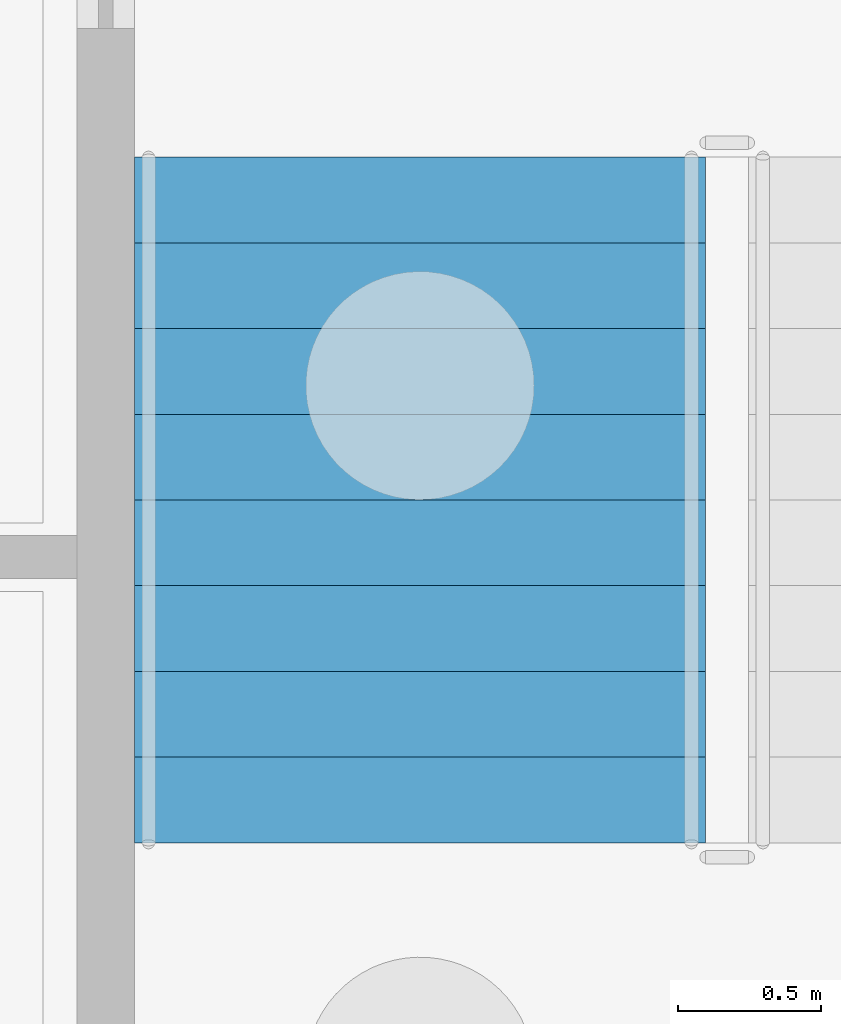
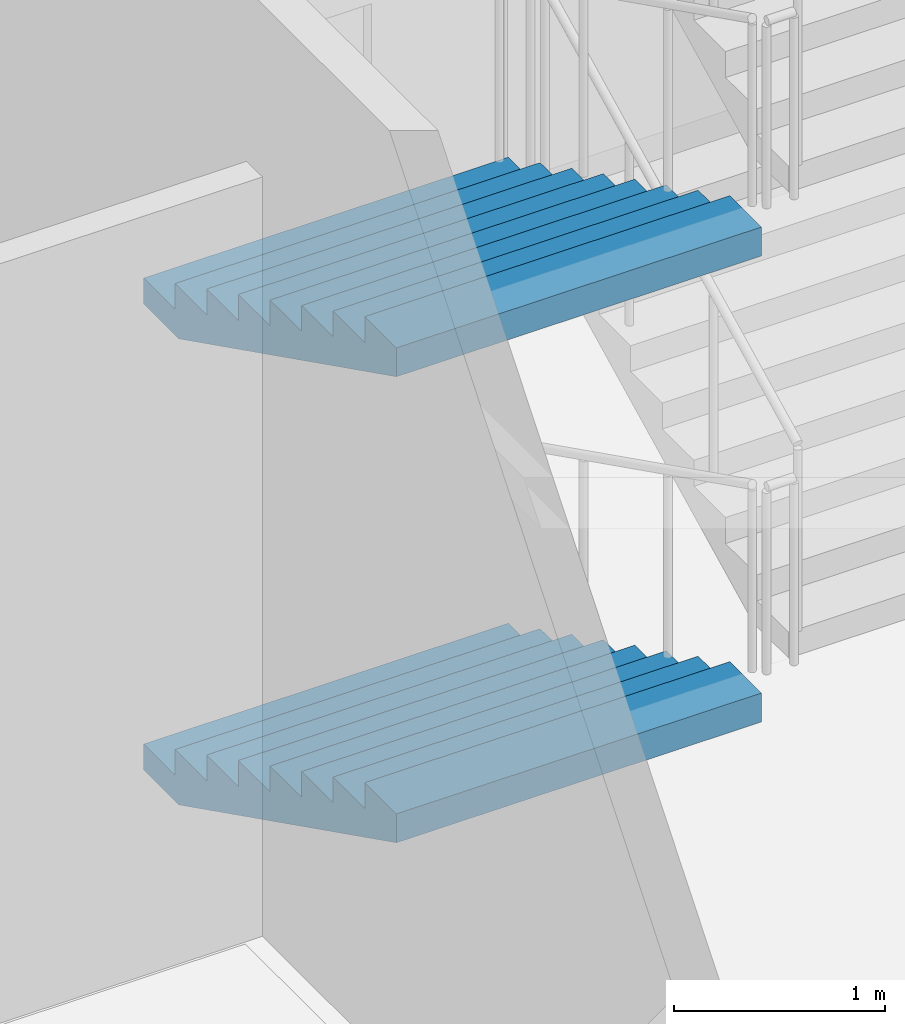
# One storey, part 88 of 129: 2 stair flights, 1 element without a shape of its own.
"""IFC4 building model written with IfcOpenShell, lengths in metres."""

import ifcopenshell
import ifcopenshell.guid

model = None  # the IFC model being written
_history = None  # IfcOwnerHistory: only IFC2X3 demands one
_inside = {}  # id of a spatial element -> (the spatial element, [elements in it])
_under = {}  # id of a project, library or spatial element -> (it, [spatial elements below it])
_declared = {}  # id of a project -> (the project, [libraries it declares])
_typed = {}  # id of a type object -> (the type object, [elements of that type])
_made_of = {}  # id of a material, layer set ... -> (it, [elements and type objects made of it])


def new_model(schema):
    """Start an empty IFC model of exactly this schema.

    Asked for "IFC4X3", IfcOpenShell would pick the latest addendum, in which some entities
    have other attributes; the version numbers below select the first issue.
    IFC2X3 requires an IfcOwnerHistory on every rooted entity: one is made here for all.
    """
    global model, _history
    if schema == "IFC4X3":
        model = ifcopenshell.file(schema_version=(4, 3, 0, 0))
    else:
        model = ifcopenshell.file(schema=schema)
    _inside.clear()
    _under.clear()
    _declared.clear()
    _typed.clear()
    _made_of.clear()
    _history = None
    if model.schema == "IFC2X3":
        org = make("IfcOrganization", Name="unknown")
        user = make(
            "IfcPersonAndOrganization",
            ThePerson=make("IfcPerson", FamilyName="unknown"),
            TheOrganization=org,
        )
        app = make(
            "IfcApplication",
            ApplicationDeveloper=org,
            Version="unknown",
            ApplicationFullName="unknown",
            ApplicationIdentifier="unknown",
        )
        _history = make(
            "IfcOwnerHistory",
            OwningUser=user,
            OwningApplication=app,
            ChangeAction="ADDED",
            CreationDate=0,
        )
    return model


def make(cls, **values):
    """One entity of the class cls with the attributes given. An attribute that is None is left unset."""
    return model.create_entity(
        cls, **{name: value for name, value in values.items() if value is not None}
    )


def rooted(cls, **values):
    """An entity with a GlobalId (a new one), such as an element, a storey or a relation."""
    return make(cls, GlobalId=ifcopenshell.guid.new(), OwnerHistory=_history, **values)


def si_unit(unit_type, name, prefix=None):
    """IfcSIUnit, for example si_unit("LENGTHUNIT", "METRE", prefix="MILLI")."""
    return make("IfcSIUnit", UnitType=unit_type, Prefix=prefix, Name=name)


def assignment(units):
    """IfcUnitAssignment: the units of a project."""
    return None if units is None else make("IfcUnitAssignment", Units=units)


def point(xyz):
    """IfcCartesianPoint."""
    return None if xyz is None else make("IfcCartesianPoint", Coordinates=xyz)


def direction(xyz):
    """IfcDirection."""
    return None if xyz is None else make("IfcDirection", DirectionRatios=xyz)


def frame(location, z_axis=None, x_axis=None):
    """IfcAxis2Placement3D, a coordinate frame: its origin and axes. An axis left out is left unset."""
    return make(
        "IfcAxis2Placement3D",
        Location=point(location),
        Axis=direction(z_axis),
        RefDirection=direction(x_axis),
    )


def origin():
    """The frame at (0, 0, 0) with its axes left unset."""
    return frame((0.0, 0.0, 0.0))


def place(relative_to, where):
    """IfcLocalPlacement: puts the frame where relative to a parent placement (None: the world)."""
    return make(
        "IfcLocalPlacement", PlacementRelTo=relative_to, RelativePlacement=where
    )


def context(
    kind, dimensions, precision=None, world=None, true_north=None, identifier=None
):
    """IfcGeometricRepresentationContext, for example the 3D "Model" context."""
    return make(
        "IfcGeometricRepresentationContext",
        ContextIdentifier=identifier,
        ContextType=kind,
        CoordinateSpaceDimension=dimensions,
        Precision=precision,
        WorldCoordinateSystem=world,
        TrueNorth=true_north,
    )


def subcontext(parent, identifier, kind, view, scale=None):
    """IfcGeometricRepresentationSubContext, for example "Body" below "Model"."""
    return make(
        "IfcGeometricRepresentationSubContext",
        ContextIdentifier=identifier,
        ContextType=kind,
        ParentContext=parent,
        TargetScale=scale,
        TargetView=view,
    )


def project(units=None, contexts=None):
    """IfcProject with its units and contexts."""
    return rooted(
        "IfcProject",
        Name="project",
        RepresentationContexts=contexts,
        UnitsInContext=assignment(units),
    )


def spatial(cls, under=None, at=None, **own):
    """A site, building, storey or space (cls), placed at a placement, below another one or the project."""
    s = rooted(cls, ObjectPlacement=at, **own)
    if under is not None:
        _under.setdefault(under.id(), (under, []))[1].append(s)
    return s


def faces_of(points, faces, orient=None, outer=None):
    """IfcFace entities. A face is a list of loops; a loop is a list of indices into points, from 0.

    orient and outer hold one flag for each loop. By default every Orientation is true, the
    first loop of a face is its IfcFaceOuterBound and the others are IfcFaceBound.
    """
    made = []
    for i, loops in enumerate(faces):
        bounds = []
        for j, loop in enumerate(loops):
            is_outer = j == 0 if outer is None else outer[i][j]
            bounds.append(
                make(
                    "IfcFaceOuterBound" if is_outer else "IfcFaceBound",
                    Bound=make("IfcPolyLoop", Polygon=[points[k] for k in loop]),
                    Orientation=True if orient is None else orient[i][j],
                )
            )
        made.append(make("IfcFace", Bounds=bounds))
    return made


def faceted_brep(points, faces, orient=None, outer=None, voids=None):
    """IfcFacetedBrep: a solid bounded by flat faces; with voids (closed shells), ...WithVoids."""
    shared = [point(p) for p in points]
    hull = make("IfcClosedShell", CfsFaces=faces_of(shared, faces, orient, outer))
    if voids is None:
        return make("IfcFacetedBrep", Outer=hull)
    return make(
        "IfcFacetedBrepWithVoids",
        Outer=hull,
        Voids=[
            make(cls, CfsFaces=faces_of(shared, fs, o, b)) for cls, fs, o, b in voids
        ],
    )


def shape(context_of_items, identifier, shape_type, items):
    """IfcShapeRepresentation: the items that make up one representation, for example the "Body"."""
    return make(
        "IfcShapeRepresentation",
        ContextOfItems=context_of_items,
        RepresentationIdentifier=identifier,
        RepresentationType=shape_type,
        Items=items,
    )


def material(Name=None, Category=None):
    """IfcMaterial."""
    return make("IfcMaterial", Name=Name, Category=Category)


def made_of(thing, what):
    """Note that an element or type object is made of a material, layer set ...; save() writes the relation."""
    if what is not None:
        _made_of.setdefault(what.id(), (what, []))[1].append(thing)
    return thing


def type_object(cls, material=None, **own):
    """A type object (cls), such as IfcWallType, which elements share."""
    return made_of(rooted(cls, **own), material)


def element(
    cls,
    number,
    at=None,
    inside=None,
    cuts=None,
    type_object=None,
    material=None,
    context=None,
    identifier="Body",
    shape_type=None,
    held_by="IfcProductDefinitionShape",
    body=None,
    shapes=None,
    **own,
):
    """One element of the class cls, such as IfcWall. Its Tag is "e" and its number.

    at: its placement. inside: the storey or other place that contains it. cuts: it is an
    opening in that element (IfcRelVoidsElement). A single representation is given by context,
    identifier, shape_type and body (its items); several are given by shapes. held_by: the class
    of the entity that holds the representations. save() writes the other relations.
    """
    e = rooted(cls, Tag="e%d" % number, ObjectPlacement=at, **own)
    if body is not None:
        shapes = [shape(context, identifier, shape_type, body)]
    if shapes is not None:
        e.Representation = make(held_by, Representations=shapes)
    if inside is not None:
        _inside.setdefault(inside.id(), (inside, []))[1].append(e)
    if cuts is not None:
        rooted(
            "IfcRelVoidsElement", RelatingBuildingElement=cuts, RelatedOpeningElement=e
        )
    if type_object is not None:
        _typed.setdefault(type_object.id(), (type_object, []))[1].append(e)
    return made_of(e, material)


def aggregate(whole, parts):
    """IfcRelAggregates: a whole, such as a stair, and the parts it consists of."""
    return rooted("IfcRelAggregates", RelatingObject=whole, RelatedObjects=parts)


def save(model, path):
    """Write the relations noted so far, then the file.

    IfcRelAggregates (storeys below a building ...), IfcRelContainedInSpatialStructure (elements
    in a storey), IfcRelDefinesByType, IfcRelAssociatesMaterial and IfcRelDeclares: one each for
    every whole, place, type object, material and project.
    """
    for whole, parts in _under.values():
        aggregate(whole, parts)
    for where, things in _inside.values():
        rooted(
            "IfcRelContainedInSpatialStructure",
            RelatedElements=things,
            RelatingStructure=where,
        )
    for kind, things in _typed.values():
        rooted("IfcRelDefinesByType", RelatedObjects=things, RelatingType=kind)
    for what, things in _made_of.values():
        rooted("IfcRelAssociatesMaterial", RelatedObjects=things, RelatingMaterial=what)
    for by, libraries in _declared.values():
        rooted("IfcRelDeclares", RelatingContext=by, RelatedDefinitions=libraries)
    model.write(path)


model = new_model("IFC4")

# Units and contexts
model_context = context("Model", 3, precision=1e-05, world=origin(), true_north=direction((0.0, 1.0)))
body_context = subcontext(model_context, "Body", "Model", "MODEL_VIEW")
ifc_project = project(units=[si_unit("LENGTHUNIT", "METRE"), si_unit("AREAUNIT", "SQUARE_METRE"), si_unit("VOLUMEUNIT", "CUBIC_METRE"), si_unit("PLANEANGLEUNIT", "RADIAN"), si_unit("MASSUNIT", "GRAM", prefix="KILO")], contexts=[model_context])

# Site, building, storey
site_placement = place(None, origin())
site = spatial("IfcSite", under=ifc_project, at=site_placement, CompositionType="ELEMENT")
building_placement = place(site_placement, origin())
building = spatial("IfcBuilding", under=site, at=building_placement, Name="Kiln Court Media Centre", CompositionType="ELEMENT")
storey_placement = place(building_placement, origin())
storey = spatial("IfcBuildingStorey", under=building, at=storey_placement, Name="L00", CompositionType="ELEMENT", Elevation=0.0)

# Stair, stair flights
ifc_material_1 = material(Name="Concrete C40/50", Category="concrete")
stair_type = type_object("IfcStairType", Name="Concrete C40/50 dog-leg stair 2000 wide, 150 riser", PredefinedType="HALF_TURN_STAIR", material=ifc_material_1)
stair_placement = place(storey_placement, origin())
stair = element("IfcStair", 1, at=stair_placement, inside=storey, type_object=stair_type, Name="ST-08 L00", PredefinedType="HALF_TURN_STAIR")
ifc_material_2 = material(Name="Concrete C40/50", Category="concrete")
stair_flight_type = type_object("IfcStairFlightType", Name="Concrete C40/50 stair flight 2000 wide, 150 riser, 300 going", PredefinedType="STRAIGHT", material=ifc_material_2)
stair_flight_1_placement = place(storey_placement, frame((30.0, 64.39990234375, 0.0), z_axis=(0.0, 0.0, 1.0), x_axis=(0.0, -1.0, 0.0)))
stair_flight_1 = element("IfcStairFlight", 2, at=stair_flight_1_placement, type_object=stair_flight_type, Name="L00-ST-5007 flight 5028", NumberOfRisers=9, NumberOfTreads=8, PredefinedType="STRAIGHT", RiserHeight=0.15, TreadLength=0.3, context=body_context, shape_type="Brep", body=[
    faceted_brep([(0.335205078125, -1.0, 0.0), (2.39990234375, -1.0, 1.032470703125), (2.39990234375, -1.0, 1.199951171875), (2.10009765625, -1.0, 1.199951171875), (2.10009765625, -1.0, 1.050048828125), (1.800048828125, -1.0, 1.050048828125), (1.800048828125, -1.0, 0.89990234375), (1.5, -1.0, 0.89990234375), (1.5, -1.0, 0.75), (1.199951171875, -1.0, 0.75), (1.199951171875, -1.0, 0.60009765625), (0.89990234375, -1.0, 0.60009765625), (0.89990234375, -1.0, 0.449951171875), (0.60009765625, -1.0, 0.449951171875), (0.60009765625, -1.0, 0.300048828125), (0.300048828125, -1.0, 0.300048828125), (0.300048828125, -1.0, 0.14990234375), (0.0, -1.0, 0.14990234375), (0.0, -1.0, 0.0), (0.0, 1.0, 0.0), (0.0, 1.0, 0.14990234375), (0.300048828125, 1.0, 0.14990234375), (0.300048828125, 1.0, 0.300048828125), (0.60009765625, 1.0, 0.300048828125), (0.60009765625, 1.0, 0.449951171875), (0.89990234375, 1.0, 0.449951171875), (0.89990234375, 1.0, 0.60009765625), (1.199951171875, 1.0, 0.60009765625), (1.199951171875, 1.0, 0.75), (1.5, 1.0, 0.75), (1.5, 1.0, 0.89990234375), (1.800048828125, 1.0, 0.89990234375), (1.800048828125, 1.0, 1.050048828125), (2.10009765625, 1.0, 1.050048828125), (2.10009765625, 1.0, 1.199951171875), (2.39990234375, 1.0, 1.199951171875), (2.39990234375, 1.0, 1.032470703125), (0.335205078125, 1.0, 0.0), (2.39990234375, 0.10009765625, 1.032470703125), (0.335205078125, 0.10009765625, 0.0), (2.39990234375, 0.080078125, 1.032470703125), (0.335205078125, 0.080078125, 0.0), (2.39990234375, 0.06005859375, 1.032470703125), (0.335205078125, 0.06005859375, 0.0), (2.39990234375, 0.0400390625, 1.032470703125), (0.335205078125, 0.0400390625, 0.0), (2.39990234375, 0.02001953125, 1.032470703125), (0.335205078125, 0.02001953125, 0.0), (2.39990234375, 0.0, 1.032470703125), (0.335205078125, 0.0, 0.0), (2.39990234375, -0.02001953125, 1.032470703125), (0.335205078125, -0.02001953125, 0.0), (2.39990234375, -0.0400390625, 1.032470703125), (0.335205078125, -0.0400390625, 0.0), (2.39990234375, -0.06005859375, 1.032470703125), (0.335205078125, -0.06005859375, 0.0), (2.39990234375, -0.080078125, 1.032470703125), (0.335205078125, -0.080078125, 0.0), (2.39990234375, -0.10009765625, 1.032470703125), (0.335205078125, -0.10009765625, 0.0), (2.39990234375, 0.10009765625, 1.199951171875), (2.39990234375, 0.080078125, 1.199951171875), (2.39990234375, 0.06005859375, 1.199951171875), (2.39990234375, 0.0400390625, 1.199951171875), (2.39990234375, 0.02001953125, 1.199951171875), (2.39990234375, 0.0, 1.199951171875), (2.39990234375, -0.02001953125, 1.199951171875), (2.39990234375, -0.0400390625, 1.199951171875), (2.39990234375, -0.06005859375, 1.199951171875), (2.39990234375, -0.080078125, 1.199951171875), (2.39990234375, -0.10009765625, 1.199951171875), (2.10009765625, 0.10009765625, 1.199951171875), (2.10009765625, 0.080078125, 1.199951171875), (2.10009765625, 0.06005859375, 1.199951171875), (2.10009765625, 0.0400390625, 1.199951171875), (2.10009765625, 0.02001953125, 1.199951171875), (2.10009765625, 0.0, 1.199951171875), (2.10009765625, -0.02001953125, 1.199951171875), (2.10009765625, -0.0400390625, 1.199951171875), (2.10009765625, -0.06005859375, 1.199951171875), (2.10009765625, -0.080078125, 1.199951171875), (2.10009765625, -0.10009765625, 1.199951171875), (2.10009765625, 0.10009765625, 1.050048828125), (2.10009765625, 0.080078125, 1.050048828125), (2.10009765625, 0.06005859375, 1.050048828125), (2.10009765625, 0.0400390625, 1.050048828125), (2.10009765625, 0.02001953125, 1.050048828125), (2.10009765625, 0.0, 1.050048828125), (2.10009765625, -0.02001953125, 1.050048828125), (2.10009765625, -0.0400390625, 1.050048828125), (2.10009765625, -0.06005859375, 1.050048828125), (2.10009765625, -0.080078125, 1.050048828125), (2.10009765625, -0.10009765625, 1.050048828125), (1.800048828125, 0.10009765625, 1.050048828125), (1.800048828125, 0.080078125, 1.050048828125), (1.800048828125, 0.06005859375, 1.050048828125), (1.800048828125, 0.0400390625, 1.050048828125), (1.800048828125, 0.02001953125, 1.050048828125), (1.800048828125, 0.0, 1.050048828125), (1.800048828125, -0.02001953125, 1.050048828125), (1.800048828125, -0.0400390625, 1.050048828125), (1.800048828125, -0.06005859375, 1.050048828125), (1.800048828125, -0.080078125, 1.050048828125), (1.800048828125, -0.10009765625, 1.050048828125), (1.800048828125, 0.10009765625, 0.89990234375), (1.800048828125, 0.080078125, 0.89990234375), (1.800048828125, 0.06005859375, 0.89990234375), (1.800048828125, 0.0400390625, 0.89990234375), (1.800048828125, 0.02001953125, 0.89990234375), (1.800048828125, 0.0, 0.89990234375), (1.800048828125, -0.02001953125, 0.89990234375), (1.800048828125, -0.0400390625, 0.89990234375), (1.800048828125, -0.06005859375, 0.89990234375), (1.800048828125, -0.080078125, 0.89990234375), (1.800048828125, -0.10009765625, 0.89990234375), (1.5, 0.10009765625, 0.89990234375), (1.5, 0.080078125, 0.89990234375), (1.5, 0.06005859375, 0.89990234375), (1.5, 0.0400390625, 0.89990234375), (1.5, 0.02001953125, 0.89990234375), (1.5, 0.0, 0.89990234375), (1.5, -0.02001953125, 0.89990234375), (1.5, -0.0400390625, 0.89990234375), (1.5, -0.06005859375, 0.89990234375), (1.5, -0.080078125, 0.89990234375), (1.5, -0.10009765625, 0.89990234375), (1.5, 0.10009765625, 0.75), (1.5, 0.080078125, 0.75), (1.5, 0.06005859375, 0.75), (1.5, 0.0400390625, 0.75), (1.5, 0.02001953125, 0.75), (1.5, 0.0, 0.75), (1.5, -0.02001953125, 0.75), (1.5, -0.0400390625, 0.75), (1.5, -0.06005859375, 0.75), (1.5, -0.080078125, 0.75), (1.5, -0.10009765625, 0.75), (1.199951171875, 0.10009765625, 0.75), (1.199951171875, 0.080078125, 0.75), (1.199951171875, 0.06005859375, 0.75), (1.199951171875, 0.0400390625, 0.75), (1.199951171875, 0.02001953125, 0.75), (1.199951171875, 0.0, 0.75), (1.199951171875, -0.02001953125, 0.75), (1.199951171875, -0.0400390625, 0.75), (1.199951171875, -0.06005859375, 0.75), (1.199951171875, -0.080078125, 0.75), (1.199951171875, -0.10009765625, 0.75), (1.199951171875, 0.10009765625, 0.60009765625), (1.199951171875, 0.080078125, 0.60009765625), (1.199951171875, 0.06005859375, 0.60009765625), (1.199951171875, 0.0400390625, 0.60009765625), (1.199951171875, 0.02001953125, 0.60009765625), (1.199951171875, 0.0, 0.60009765625), (1.199951171875, -0.02001953125, 0.60009765625), (1.199951171875, -0.0400390625, 0.60009765625), (1.199951171875, -0.06005859375, 0.60009765625), (1.199951171875, -0.080078125, 0.60009765625), (1.199951171875, -0.10009765625, 0.60009765625), (0.89990234375, 0.10009765625, 0.60009765625), (0.89990234375, 0.080078125, 0.60009765625), (0.89990234375, 0.06005859375, 0.60009765625), (0.89990234375, 0.0400390625, 0.60009765625), (0.89990234375, 0.02001953125, 0.60009765625), (0.89990234375, 0.0, 0.60009765625), (0.89990234375, -0.02001953125, 0.60009765625), (0.89990234375, -0.0400390625, 0.60009765625), (0.89990234375, -0.06005859375, 0.60009765625), (0.89990234375, -0.080078125, 0.60009765625), (0.89990234375, -0.10009765625, 0.60009765625), (0.89990234375, 0.10009765625, 0.449951171875), (0.89990234375, 0.080078125, 0.449951171875), (0.89990234375, 0.06005859375, 0.449951171875), (0.89990234375, 0.0400390625, 0.449951171875), (0.89990234375, 0.02001953125, 0.449951171875), (0.89990234375, 0.0, 0.449951171875), (0.89990234375, -0.02001953125, 0.449951171875), (0.89990234375, -0.0400390625, 0.449951171875), (0.89990234375, -0.06005859375, 0.449951171875), (0.89990234375, -0.080078125, 0.449951171875), (0.89990234375, -0.10009765625, 0.449951171875), (0.60009765625, 0.10009765625, 0.449951171875), (0.60009765625, 0.080078125, 0.449951171875), (0.60009765625, 0.06005859375, 0.449951171875), (0.60009765625, 0.0400390625, 0.449951171875), (0.60009765625, 0.02001953125, 0.449951171875), (0.60009765625, 0.0, 0.449951171875), (0.60009765625, -0.02001953125, 0.449951171875), (0.60009765625, -0.0400390625, 0.449951171875), (0.60009765625, -0.06005859375, 0.449951171875), (0.60009765625, -0.080078125, 0.449951171875), (0.60009765625, -0.10009765625, 0.449951171875), (0.60009765625, 0.10009765625, 0.300048828125), (0.60009765625, 0.080078125, 0.300048828125), (0.60009765625, 0.06005859375, 0.300048828125), (0.60009765625, 0.0400390625, 0.300048828125), (0.60009765625, 0.02001953125, 0.300048828125), (0.60009765625, 0.0, 0.300048828125), (0.60009765625, -0.02001953125, 0.300048828125), (0.60009765625, -0.0400390625, 0.300048828125), (0.60009765625, -0.06005859375, 0.300048828125), (0.60009765625, -0.080078125, 0.300048828125), (0.60009765625, -0.10009765625, 0.300048828125), (0.300048828125, 0.10009765625, 0.300048828125), (0.300048828125, 0.080078125, 0.300048828125), (0.300048828125, 0.06005859375, 0.300048828125), (0.300048828125, 0.0400390625, 0.300048828125), (0.300048828125, 0.02001953125, 0.300048828125), (0.300048828125, 0.0, 0.300048828125), (0.300048828125, -0.02001953125, 0.300048828125), (0.300048828125, -0.0400390625, 0.300048828125), (0.300048828125, -0.06005859375, 0.300048828125), (0.300048828125, -0.080078125, 0.300048828125), (0.300048828125, -0.10009765625, 0.300048828125), (0.300048828125, 0.10009765625, 0.14990234375), (0.300048828125, 0.080078125, 0.14990234375), (0.300048828125, 0.06005859375, 0.14990234375), (0.300048828125, 0.0400390625, 0.14990234375), (0.300048828125, 0.02001953125, 0.14990234375), (0.300048828125, 0.0, 0.14990234375), (0.300048828125, -0.02001953125, 0.14990234375), (0.300048828125, -0.0400390625, 0.14990234375), (0.300048828125, -0.06005859375, 0.14990234375), (0.300048828125, -0.080078125, 0.14990234375), (0.300048828125, -0.10009765625, 0.14990234375), (0.0, 0.10009765625, 0.14990234375), (0.0, 0.080078125, 0.14990234375), (0.0, 0.06005859375, 0.14990234375), (0.0, 0.0400390625, 0.14990234375), (0.0, 0.02001953125, 0.14990234375), (0.0, 0.0, 0.14990234375), (0.0, -0.02001953125, 0.14990234375), (0.0, -0.0400390625, 0.14990234375), (0.0, -0.06005859375, 0.14990234375), (0.0, -0.080078125, 0.14990234375), (0.0, -0.10009765625, 0.14990234375), (0.0, 0.10009765625, 0.0), (0.0, 0.080078125, 0.0), (0.0, 0.06005859375, 0.0), (0.0, 0.0400390625, 0.0), (0.0, 0.02001953125, 0.0), (0.0, 0.0, 0.0), (0.0, -0.02001953125, 0.0), (0.0, -0.0400390625, 0.0), (0.0, -0.06005859375, 0.0), (0.0, -0.080078125, 0.0), (0.0, -0.10009765625, 0.0)], [[[0, 1, 2, 3, 4, 5, 6, 7, 8, 9, 10, 11, 12, 13, 14, 15, 16, 17, 18]], [[19, 20, 21, 22, 23, 24, 25, 26, 27, 28, 29, 30, 31, 32, 33, 34, 35, 36, 37]], [[37, 36, 38, 39]], [[39, 38, 40, 41]], [[41, 40, 42, 43]], [[43, 42, 44, 45]], [[45, 44, 46, 47]], [[47, 46, 48, 49]], [[49, 48, 50, 51]], [[51, 50, 52, 53]], [[53, 52, 54, 55]], [[55, 54, 56, 57]], [[57, 56, 58, 59]], [[59, 58, 1, 0]], [[36, 35, 60, 38]], [[38, 60, 61, 40]], [[40, 61, 62, 42]], [[42, 62, 63, 44]], [[44, 63, 64, 46]], [[46, 64, 65, 48]], [[48, 65, 66, 50]], [[50, 66, 67, 52]], [[52, 67, 68, 54]], [[54, 68, 69, 56]], [[56, 69, 70, 58]], [[58, 70, 2, 1]], [[35, 34, 71, 60]], [[60, 71, 72, 61]], [[61, 72, 73, 62]], [[62, 73, 74, 63]], [[63, 74, 75, 64]], [[64, 75, 76, 65]], [[65, 76, 77, 66]], [[66, 77, 78, 67]], [[67, 78, 79, 68]], [[68, 79, 80, 69]], [[69, 80, 81, 70]], [[70, 81, 3, 2]], [[34, 33, 82, 71]], [[71, 82, 83, 72]], [[72, 83, 84, 73]], [[73, 84, 85, 74]], [[74, 85, 86, 75]], [[75, 86, 87, 76]], [[76, 87, 88, 77]], [[77, 88, 89, 78]], [[78, 89, 90, 79]], [[79, 90, 91, 80]], [[80, 91, 92, 81]], [[81, 92, 4, 3]], [[33, 32, 93, 82]], [[82, 93, 94, 83]], [[83, 94, 95, 84]], [[84, 95, 96, 85]], [[85, 96, 97, 86]], [[86, 97, 98, 87]], [[87, 98, 99, 88]], [[88, 99, 100, 89]], [[89, 100, 101, 90]], [[90, 101, 102, 91]], [[91, 102, 103, 92]], [[92, 103, 5, 4]], [[32, 31, 104, 93]], [[93, 104, 105, 94]], [[94, 105, 106, 95]], [[95, 106, 107, 96]], [[96, 107, 108, 97]], [[97, 108, 109, 98]], [[98, 109, 110, 99]], [[99, 110, 111, 100]], [[100, 111, 112, 101]], [[101, 112, 113, 102]], [[102, 113, 114, 103]], [[103, 114, 6, 5]], [[31, 30, 115, 104]], [[104, 115, 116, 105]], [[105, 116, 117, 106]], [[106, 117, 118, 107]], [[107, 118, 119, 108]], [[108, 119, 120, 109]], [[109, 120, 121, 110]], [[110, 121, 122, 111]], [[111, 122, 123, 112]], [[112, 123, 124, 113]], [[113, 124, 125, 114]], [[114, 125, 7, 6]], [[30, 29, 126, 115]], [[115, 126, 127, 116]], [[116, 127, 128, 117]], [[117, 128, 129, 118]], [[118, 129, 130, 119]], [[119, 130, 131, 120]], [[120, 131, 132, 121]], [[121, 132, 133, 122]], [[122, 133, 134, 123]], [[123, 134, 135, 124]], [[124, 135, 136, 125]], [[125, 136, 8, 7]], [[29, 28, 137, 126]], [[126, 137, 138, 127]], [[127, 138, 139, 128]], [[128, 139, 140, 129]], [[129, 140, 141, 130]], [[130, 141, 142, 131]], [[131, 142, 143, 132]], [[132, 143, 144, 133]], [[133, 144, 145, 134]], [[134, 145, 146, 135]], [[135, 146, 147, 136]], [[136, 147, 9, 8]], [[28, 27, 148, 137]], [[137, 148, 149, 138]], [[138, 149, 150, 139]], [[139, 150, 151, 140]], [[140, 151, 152, 141]], [[141, 152, 153, 142]], [[142, 153, 154, 143]], [[143, 154, 155, 144]], [[144, 155, 156, 145]], [[145, 156, 157, 146]], [[146, 157, 158, 147]], [[147, 158, 10, 9]], [[27, 26, 159, 148]], [[148, 159, 160, 149]], [[149, 160, 161, 150]], [[150, 161, 162, 151]], [[151, 162, 163, 152]], [[152, 163, 164, 153]], [[153, 164, 165, 154]], [[154, 165, 166, 155]], [[155, 166, 167, 156]], [[156, 167, 168, 157]], [[157, 168, 169, 158]], [[158, 169, 11, 10]], [[26, 25, 170, 159]], [[159, 170, 171, 160]], [[160, 171, 172, 161]], [[161, 172, 173, 162]], [[162, 173, 174, 163]], [[163, 174, 175, 164]], [[164, 175, 176, 165]], [[165, 176, 177, 166]], [[166, 177, 178, 167]], [[167, 178, 179, 168]], [[168, 179, 180, 169]], [[169, 180, 12, 11]], [[25, 24, 181, 170]], [[170, 181, 182, 171]], [[171, 182, 183, 172]], [[172, 183, 184, 173]], [[173, 184, 185, 174]], [[174, 185, 186, 175]], [[175, 186, 187, 176]], [[176, 187, 188, 177]], [[177, 188, 189, 178]], [[178, 189, 190, 179]], [[179, 190, 191, 180]], [[180, 191, 13, 12]], [[24, 23, 192, 181]], [[181, 192, 193, 182]], [[182, 193, 194, 183]], [[183, 194, 195, 184]], [[184, 195, 196, 185]], [[185, 196, 197, 186]], [[186, 197, 198, 187]], [[187, 198, 199, 188]], [[188, 199, 200, 189]], [[189, 200, 201, 190]], [[190, 201, 202, 191]], [[191, 202, 14, 13]], [[23, 22, 203, 192]], [[192, 203, 204, 193]], [[193, 204, 205, 194]], [[194, 205, 206, 195]], [[195, 206, 207, 196]], [[196, 207, 208, 197]], [[197, 208, 209, 198]], [[198, 209, 210, 199]], [[199, 210, 211, 200]], [[200, 211, 212, 201]], [[201, 212, 213, 202]], [[202, 213, 15, 14]], [[22, 21, 214, 203]], [[203, 214, 215, 204]], [[204, 215, 216, 205]], [[205, 216, 217, 206]], [[206, 217, 218, 207]], [[207, 218, 219, 208]], [[208, 219, 220, 209]], [[209, 220, 221, 210]], [[210, 221, 222, 211]], [[211, 222, 223, 212]], [[212, 223, 224, 213]], [[213, 224, 16, 15]], [[21, 20, 225, 214]], [[214, 225, 226, 215]], [[215, 226, 227, 216]], [[216, 227, 228, 217]], [[217, 228, 229, 218]], [[218, 229, 230, 219]], [[219, 230, 231, 220]], [[220, 231, 232, 221]], [[221, 232, 233, 222]], [[222, 233, 234, 223]], [[223, 234, 235, 224]], [[224, 235, 17, 16]], [[20, 19, 236, 225]], [[225, 236, 237, 226]], [[226, 237, 238, 227]], [[227, 238, 239, 228]], [[228, 239, 240, 229]], [[229, 240, 241, 230]], [[230, 241, 242, 231]], [[231, 242, 243, 232]], [[232, 243, 244, 233]], [[233, 244, 245, 234]], [[234, 245, 246, 235]], [[235, 246, 18, 17]], [[19, 37, 39, 236]], [[236, 39, 41, 237]], [[237, 41, 43, 238]], [[238, 43, 45, 239]], [[239, 45, 47, 240]], [[240, 47, 49, 241]], [[241, 49, 51, 242]], [[242, 51, 53, 243]], [[243, 53, 55, 244]], [[244, 55, 57, 245]], [[245, 57, 59, 246]], [[246, 59, 0, 18]]]),
])
stair_flight_2_placement = place(storey_placement, frame((30.0, 64.39990234375, 2.699951171875), z_axis=(0.0, 0.0, 1.0), x_axis=(0.0, -1.0, 0.0)))
stair_flight_2 = element("IfcStairFlight", 3, at=stair_flight_2_placement, type_object=stair_flight_type, Name="L00-ST-5007 flight 5030", NumberOfRisers=9, NumberOfTreads=8, PredefinedType="STRAIGHT", RiserHeight=0.15, TreadLength=0.3, context=body_context, shape_type="Brep", body=[
    faceted_brep([(0.335205078125, -1.0, 0.0), (2.39990234375, -1.0, 1.032470703125), (2.39990234375, -1.0, 1.199951171875), (2.10009765625, -1.0, 1.199951171875), (2.10009765625, -1.0, 1.050048828125), (1.800048828125, -1.0, 1.050048828125), (1.800048828125, -1.0, 0.89990234375), (1.5, -1.0, 0.89990234375), (1.5, -1.0, 0.75), (1.199951171875, -1.0, 0.75), (1.199951171875, -1.0, 0.60009765625), (0.89990234375, -1.0, 0.60009765625), (0.89990234375, -1.0, 0.449951171875), (0.60009765625, -1.0, 0.449951171875), (0.60009765625, -1.0, 0.300048828125), (0.300048828125, -1.0, 0.300048828125), (0.300048828125, -1.0, 0.14990234375), (0.0, -1.0, 0.14990234375), (0.0, -1.0, 0.0), (0.0, 1.0, 0.0), (0.0, 1.0, 0.14990234375), (0.300048828125, 1.0, 0.14990234375), (0.300048828125, 1.0, 0.300048828125), (0.60009765625, 1.0, 0.300048828125), (0.60009765625, 1.0, 0.449951171875), (0.89990234375, 1.0, 0.449951171875), (0.89990234375, 1.0, 0.60009765625), (1.199951171875, 1.0, 0.60009765625), (1.199951171875, 1.0, 0.75), (1.5, 1.0, 0.75), (1.5, 1.0, 0.89990234375), (1.800048828125, 1.0, 0.89990234375), (1.800048828125, 1.0, 1.050048828125), (2.10009765625, 1.0, 1.050048828125), (2.10009765625, 1.0, 1.199951171875), (2.39990234375, 1.0, 1.199951171875), (2.39990234375, 1.0, 1.032470703125), (0.335205078125, 1.0, 0.0), (2.39990234375, 0.10009765625, 1.032470703125), (0.335205078125, 0.10009765625, 0.0), (2.39990234375, 0.080078125, 1.032470703125), (0.335205078125, 0.080078125, 0.0), (2.39990234375, 0.06005859375, 1.032470703125), (0.335205078125, 0.06005859375, 0.0), (2.39990234375, 0.0400390625, 1.032470703125), (0.335205078125, 0.0400390625, 0.0), (2.39990234375, 0.02001953125, 1.032470703125), (0.335205078125, 0.02001953125, 0.0), (2.39990234375, 0.0, 1.032470703125), (0.335205078125, 0.0, 0.0), (2.39990234375, -0.02001953125, 1.032470703125), (0.335205078125, -0.02001953125, 0.0), (2.39990234375, -0.0400390625, 1.032470703125), (0.335205078125, -0.0400390625, 0.0), (2.39990234375, -0.06005859375, 1.032470703125), (0.335205078125, -0.06005859375, 0.0), (2.39990234375, -0.080078125, 1.032470703125), (0.335205078125, -0.080078125, 0.0), (2.39990234375, -0.10009765625, 1.032470703125), (0.335205078125, -0.10009765625, 0.0), (2.39990234375, 0.10009765625, 1.199951171875), (2.39990234375, 0.080078125, 1.199951171875), (2.39990234375, 0.06005859375, 1.199951171875), (2.39990234375, 0.0400390625, 1.199951171875), (2.39990234375, 0.02001953125, 1.199951171875), (2.39990234375, 0.0, 1.199951171875), (2.39990234375, -0.02001953125, 1.199951171875), (2.39990234375, -0.0400390625, 1.199951171875), (2.39990234375, -0.06005859375, 1.199951171875), (2.39990234375, -0.080078125, 1.199951171875), (2.39990234375, -0.10009765625, 1.199951171875), (2.10009765625, 0.10009765625, 1.199951171875), (2.10009765625, 0.080078125, 1.199951171875), (2.10009765625, 0.06005859375, 1.199951171875), (2.10009765625, 0.0400390625, 1.199951171875), (2.10009765625, 0.02001953125, 1.199951171875), (2.10009765625, 0.0, 1.199951171875), (2.10009765625, -0.02001953125, 1.199951171875), (2.10009765625, -0.0400390625, 1.199951171875), (2.10009765625, -0.06005859375, 1.199951171875), (2.10009765625, -0.080078125, 1.199951171875), (2.10009765625, -0.10009765625, 1.199951171875), (2.10009765625, 0.10009765625, 1.050048828125), (2.10009765625, 0.080078125, 1.050048828125), (2.10009765625, 0.06005859375, 1.050048828125), (2.10009765625, 0.0400390625, 1.050048828125), (2.10009765625, 0.02001953125, 1.050048828125), (2.10009765625, 0.0, 1.050048828125), (2.10009765625, -0.02001953125, 1.050048828125), (2.10009765625, -0.0400390625, 1.050048828125), (2.10009765625, -0.06005859375, 1.050048828125), (2.10009765625, -0.080078125, 1.050048828125), (2.10009765625, -0.10009765625, 1.050048828125), (1.800048828125, 0.10009765625, 1.050048828125), (1.800048828125, 0.080078125, 1.050048828125), (1.800048828125, 0.06005859375, 1.050048828125), (1.800048828125, 0.0400390625, 1.050048828125), (1.800048828125, 0.02001953125, 1.050048828125), (1.800048828125, 0.0, 1.050048828125), (1.800048828125, -0.02001953125, 1.050048828125), (1.800048828125, -0.0400390625, 1.050048828125), (1.800048828125, -0.06005859375, 1.050048828125), (1.800048828125, -0.080078125, 1.050048828125), (1.800048828125, -0.10009765625, 1.050048828125), (1.800048828125, 0.10009765625, 0.89990234375), (1.800048828125, 0.080078125, 0.89990234375), (1.800048828125, 0.06005859375, 0.89990234375), (1.800048828125, 0.0400390625, 0.89990234375), (1.800048828125, 0.02001953125, 0.89990234375), (1.800048828125, 0.0, 0.89990234375), (1.800048828125, -0.02001953125, 0.89990234375), (1.800048828125, -0.0400390625, 0.89990234375), (1.800048828125, -0.06005859375, 0.89990234375), (1.800048828125, -0.080078125, 0.89990234375), (1.800048828125, -0.10009765625, 0.89990234375), (1.5, 0.10009765625, 0.89990234375), (1.5, 0.080078125, 0.89990234375), (1.5, 0.06005859375, 0.89990234375), (1.5, 0.0400390625, 0.89990234375), (1.5, 0.02001953125, 0.89990234375), (1.5, 0.0, 0.89990234375), (1.5, -0.02001953125, 0.89990234375), (1.5, -0.0400390625, 0.89990234375), (1.5, -0.06005859375, 0.89990234375), (1.5, -0.080078125, 0.89990234375), (1.5, -0.10009765625, 0.89990234375), (1.5, 0.10009765625, 0.75), (1.5, 0.080078125, 0.75), (1.5, 0.06005859375, 0.75), (1.5, 0.0400390625, 0.75), (1.5, 0.02001953125, 0.75), (1.5, 0.0, 0.75), (1.5, -0.02001953125, 0.75), (1.5, -0.0400390625, 0.75), (1.5, -0.06005859375, 0.75), (1.5, -0.080078125, 0.75), (1.5, -0.10009765625, 0.75), (1.199951171875, 0.10009765625, 0.75), (1.199951171875, 0.080078125, 0.75), (1.199951171875, 0.06005859375, 0.75), (1.199951171875, 0.0400390625, 0.75), (1.199951171875, 0.02001953125, 0.75), (1.199951171875, 0.0, 0.75), (1.199951171875, -0.02001953125, 0.75), (1.199951171875, -0.0400390625, 0.75), (1.199951171875, -0.06005859375, 0.75), (1.199951171875, -0.080078125, 0.75), (1.199951171875, -0.10009765625, 0.75), (1.199951171875, 0.10009765625, 0.60009765625), (1.199951171875, 0.080078125, 0.60009765625), (1.199951171875, 0.06005859375, 0.60009765625), (1.199951171875, 0.0400390625, 0.60009765625), (1.199951171875, 0.02001953125, 0.60009765625), (1.199951171875, 0.0, 0.60009765625), (1.199951171875, -0.02001953125, 0.60009765625), (1.199951171875, -0.0400390625, 0.60009765625), (1.199951171875, -0.06005859375, 0.60009765625), (1.199951171875, -0.080078125, 0.60009765625), (1.199951171875, -0.10009765625, 0.60009765625), (0.89990234375, 0.10009765625, 0.60009765625), (0.89990234375, 0.080078125, 0.60009765625), (0.89990234375, 0.06005859375, 0.60009765625), (0.89990234375, 0.0400390625, 0.60009765625), (0.89990234375, 0.02001953125, 0.60009765625), (0.89990234375, 0.0, 0.60009765625), (0.89990234375, -0.02001953125, 0.60009765625), (0.89990234375, -0.0400390625, 0.60009765625), (0.89990234375, -0.06005859375, 0.60009765625), (0.89990234375, -0.080078125, 0.60009765625), (0.89990234375, -0.10009765625, 0.60009765625), (0.89990234375, 0.10009765625, 0.449951171875), (0.89990234375, 0.080078125, 0.449951171875), (0.89990234375, 0.06005859375, 0.449951171875), (0.89990234375, 0.0400390625, 0.449951171875), (0.89990234375, 0.02001953125, 0.449951171875), (0.89990234375, 0.0, 0.449951171875), (0.89990234375, -0.02001953125, 0.449951171875), (0.89990234375, -0.0400390625, 0.449951171875), (0.89990234375, -0.06005859375, 0.449951171875), (0.89990234375, -0.080078125, 0.449951171875), (0.89990234375, -0.10009765625, 0.449951171875), (0.60009765625, 0.10009765625, 0.449951171875), (0.60009765625, 0.080078125, 0.449951171875), (0.60009765625, 0.06005859375, 0.449951171875), (0.60009765625, 0.0400390625, 0.449951171875), (0.60009765625, 0.02001953125, 0.449951171875), (0.60009765625, 0.0, 0.449951171875), (0.60009765625, -0.02001953125, 0.449951171875), (0.60009765625, -0.0400390625, 0.449951171875), (0.60009765625, -0.06005859375, 0.449951171875), (0.60009765625, -0.080078125, 0.449951171875), (0.60009765625, -0.10009765625, 0.449951171875), (0.60009765625, 0.10009765625, 0.300048828125), (0.60009765625, 0.080078125, 0.300048828125), (0.60009765625, 0.06005859375, 0.300048828125), (0.60009765625, 0.0400390625, 0.300048828125), (0.60009765625, 0.02001953125, 0.300048828125), (0.60009765625, 0.0, 0.300048828125), (0.60009765625, -0.02001953125, 0.300048828125), (0.60009765625, -0.0400390625, 0.300048828125), (0.60009765625, -0.06005859375, 0.300048828125), (0.60009765625, -0.080078125, 0.300048828125), (0.60009765625, -0.10009765625, 0.300048828125), (0.300048828125, 0.10009765625, 0.300048828125), (0.300048828125, 0.080078125, 0.300048828125), (0.300048828125, 0.06005859375, 0.300048828125), (0.300048828125, 0.0400390625, 0.300048828125), (0.300048828125, 0.02001953125, 0.300048828125), (0.300048828125, 0.0, 0.300048828125), (0.300048828125, -0.02001953125, 0.300048828125), (0.300048828125, -0.0400390625, 0.300048828125), (0.300048828125, -0.06005859375, 0.300048828125), (0.300048828125, -0.080078125, 0.300048828125), (0.300048828125, -0.10009765625, 0.300048828125), (0.300048828125, 0.10009765625, 0.14990234375), (0.300048828125, 0.080078125, 0.14990234375), (0.300048828125, 0.06005859375, 0.14990234375), (0.300048828125, 0.0400390625, 0.14990234375), (0.300048828125, 0.02001953125, 0.14990234375), (0.300048828125, 0.0, 0.14990234375), (0.300048828125, -0.02001953125, 0.14990234375), (0.300048828125, -0.0400390625, 0.14990234375), (0.300048828125, -0.06005859375, 0.14990234375), (0.300048828125, -0.080078125, 0.14990234375), (0.300048828125, -0.10009765625, 0.14990234375), (0.0, 0.10009765625, 0.14990234375), (0.0, 0.080078125, 0.14990234375), (0.0, 0.06005859375, 0.14990234375), (0.0, 0.0400390625, 0.14990234375), (0.0, 0.02001953125, 0.14990234375), (0.0, 0.0, 0.14990234375), (0.0, -0.02001953125, 0.14990234375), (0.0, -0.0400390625, 0.14990234375), (0.0, -0.06005859375, 0.14990234375), (0.0, -0.080078125, 0.14990234375), (0.0, -0.10009765625, 0.14990234375), (0.0, 0.10009765625, 0.0), (0.0, 0.080078125, 0.0), (0.0, 0.06005859375, 0.0), (0.0, 0.0400390625, 0.0), (0.0, 0.02001953125, 0.0), (0.0, 0.0, 0.0), (0.0, -0.02001953125, 0.0), (0.0, -0.0400390625, 0.0), (0.0, -0.06005859375, 0.0), (0.0, -0.080078125, 0.0), (0.0, -0.10009765625, 0.0)], [[[0, 1, 2, 3, 4, 5, 6, 7, 8, 9, 10, 11, 12, 13, 14, 15, 16, 17, 18]], [[19, 20, 21, 22, 23, 24, 25, 26, 27, 28, 29, 30, 31, 32, 33, 34, 35, 36, 37]], [[37, 36, 38, 39]], [[39, 38, 40, 41]], [[41, 40, 42, 43]], [[43, 42, 44, 45]], [[45, 44, 46, 47]], [[47, 46, 48, 49]], [[49, 48, 50, 51]], [[51, 50, 52, 53]], [[53, 52, 54, 55]], [[55, 54, 56, 57]], [[57, 56, 58, 59]], [[59, 58, 1, 0]], [[36, 35, 60, 38]], [[38, 60, 61, 40]], [[40, 61, 62, 42]], [[42, 62, 63, 44]], [[44, 63, 64, 46]], [[46, 64, 65, 48]], [[48, 65, 66, 50]], [[50, 66, 67, 52]], [[52, 67, 68, 54]], [[54, 68, 69, 56]], [[56, 69, 70, 58]], [[58, 70, 2, 1]], [[35, 34, 71, 60]], [[60, 71, 72, 61]], [[61, 72, 73, 62]], [[62, 73, 74, 63]], [[63, 74, 75, 64]], [[64, 75, 76, 65]], [[65, 76, 77, 66]], [[66, 77, 78, 67]], [[67, 78, 79, 68]], [[68, 79, 80, 69]], [[69, 80, 81, 70]], [[70, 81, 3, 2]], [[34, 33, 82, 71]], [[71, 82, 83, 72]], [[72, 83, 84, 73]], [[73, 84, 85, 74]], [[74, 85, 86, 75]], [[75, 86, 87, 76]], [[76, 87, 88, 77]], [[77, 88, 89, 78]], [[78, 89, 90, 79]], [[79, 90, 91, 80]], [[80, 91, 92, 81]], [[81, 92, 4, 3]], [[33, 32, 93, 82]], [[82, 93, 94, 83]], [[83, 94, 95, 84]], [[84, 95, 96, 85]], [[85, 96, 97, 86]], [[86, 97, 98, 87]], [[87, 98, 99, 88]], [[88, 99, 100, 89]], [[89, 100, 101, 90]], [[90, 101, 102, 91]], [[91, 102, 103, 92]], [[92, 103, 5, 4]], [[32, 31, 104, 93]], [[93, 104, 105, 94]], [[94, 105, 106, 95]], [[95, 106, 107, 96]], [[96, 107, 108, 97]], [[97, 108, 109, 98]], [[98, 109, 110, 99]], [[99, 110, 111, 100]], [[100, 111, 112, 101]], [[101, 112, 113, 102]], [[102, 113, 114, 103]], [[103, 114, 6, 5]], [[31, 30, 115, 104]], [[104, 115, 116, 105]], [[105, 116, 117, 106]], [[106, 117, 118, 107]], [[107, 118, 119, 108]], [[108, 119, 120, 109]], [[109, 120, 121, 110]], [[110, 121, 122, 111]], [[111, 122, 123, 112]], [[112, 123, 124, 113]], [[113, 124, 125, 114]], [[114, 125, 7, 6]], [[30, 29, 126, 115]], [[115, 126, 127, 116]], [[116, 127, 128, 117]], [[117, 128, 129, 118]], [[118, 129, 130, 119]], [[119, 130, 131, 120]], [[120, 131, 132, 121]], [[121, 132, 133, 122]], [[122, 133, 134, 123]], [[123, 134, 135, 124]], [[124, 135, 136, 125]], [[125, 136, 8, 7]], [[29, 28, 137, 126]], [[126, 137, 138, 127]], [[127, 138, 139, 128]], [[128, 139, 140, 129]], [[129, 140, 141, 130]], [[130, 141, 142, 131]], [[131, 142, 143, 132]], [[132, 143, 144, 133]], [[133, 144, 145, 134]], [[134, 145, 146, 135]], [[135, 146, 147, 136]], [[136, 147, 9, 8]], [[28, 27, 148, 137]], [[137, 148, 149, 138]], [[138, 149, 150, 139]], [[139, 150, 151, 140]], [[140, 151, 152, 141]], [[141, 152, 153, 142]], [[142, 153, 154, 143]], [[143, 154, 155, 144]], [[144, 155, 156, 145]], [[145, 156, 157, 146]], [[146, 157, 158, 147]], [[147, 158, 10, 9]], [[27, 26, 159, 148]], [[148, 159, 160, 149]], [[149, 160, 161, 150]], [[150, 161, 162, 151]], [[151, 162, 163, 152]], [[152, 163, 164, 153]], [[153, 164, 165, 154]], [[154, 165, 166, 155]], [[155, 166, 167, 156]], [[156, 167, 168, 157]], [[157, 168, 169, 158]], [[158, 169, 11, 10]], [[26, 25, 170, 159]], [[159, 170, 171, 160]], [[160, 171, 172, 161]], [[161, 172, 173, 162]], [[162, 173, 174, 163]], [[163, 174, 175, 164]], [[164, 175, 176, 165]], [[165, 176, 177, 166]], [[166, 177, 178, 167]], [[167, 178, 179, 168]], [[168, 179, 180, 169]], [[169, 180, 12, 11]], [[25, 24, 181, 170]], [[170, 181, 182, 171]], [[171, 182, 183, 172]], [[172, 183, 184, 173]], [[173, 184, 185, 174]], [[174, 185, 186, 175]], [[175, 186, 187, 176]], [[176, 187, 188, 177]], [[177, 188, 189, 178]], [[178, 189, 190, 179]], [[179, 190, 191, 180]], [[180, 191, 13, 12]], [[24, 23, 192, 181]], [[181, 192, 193, 182]], [[182, 193, 194, 183]], [[183, 194, 195, 184]], [[184, 195, 196, 185]], [[185, 196, 197, 186]], [[186, 197, 198, 187]], [[187, 198, 199, 188]], [[188, 199, 200, 189]], [[189, 200, 201, 190]], [[190, 201, 202, 191]], [[191, 202, 14, 13]], [[23, 22, 203, 192]], [[192, 203, 204, 193]], [[193, 204, 205, 194]], [[194, 205, 206, 195]], [[195, 206, 207, 196]], [[196, 207, 208, 197]], [[197, 208, 209, 198]], [[198, 209, 210, 199]], [[199, 210, 211, 200]], [[200, 211, 212, 201]], [[201, 212, 213, 202]], [[202, 213, 15, 14]], [[22, 21, 214, 203]], [[203, 214, 215, 204]], [[204, 215, 216, 205]], [[205, 216, 217, 206]], [[206, 217, 218, 207]], [[207, 218, 219, 208]], [[208, 219, 220, 209]], [[209, 220, 221, 210]], [[210, 221, 222, 211]], [[211, 222, 223, 212]], [[212, 223, 224, 213]], [[213, 224, 16, 15]], [[21, 20, 225, 214]], [[214, 225, 226, 215]], [[215, 226, 227, 216]], [[216, 227, 228, 217]], [[217, 228, 229, 218]], [[218, 229, 230, 219]], [[219, 230, 231, 220]], [[220, 231, 232, 221]], [[221, 232, 233, 222]], [[222, 233, 234, 223]], [[223, 234, 235, 224]], [[224, 235, 17, 16]], [[20, 19, 236, 225]], [[225, 236, 237, 226]], [[226, 237, 238, 227]], [[227, 238, 239, 228]], [[228, 239, 240, 229]], [[229, 240, 241, 230]], [[230, 241, 242, 231]], [[231, 242, 243, 232]], [[232, 243, 244, 233]], [[233, 244, 245, 234]], [[234, 245, 246, 235]], [[235, 246, 18, 17]], [[19, 37, 39, 236]], [[236, 39, 41, 237]], [[237, 41, 43, 238]], [[238, 43, 45, 239]], [[239, 45, 47, 240]], [[240, 47, 49, 241]], [[241, 49, 51, 242]], [[242, 51, 53, 243]], [[243, 53, 55, 244]], [[244, 55, 57, 245]], [[245, 57, 59, 246]], [[246, 59, 0, 18]]]),
])
aggregate(stair, [stair_flight_1, stair_flight_2])

save(model, "model.ifc")
